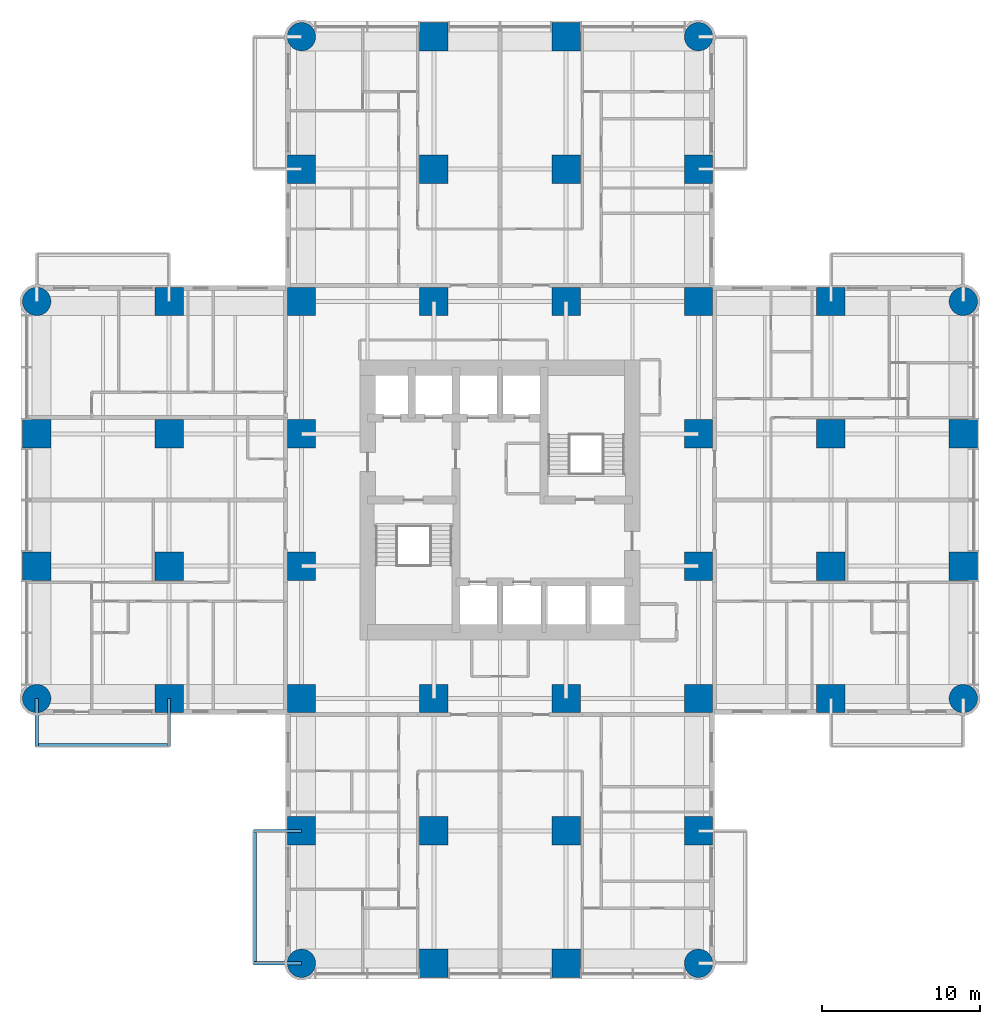
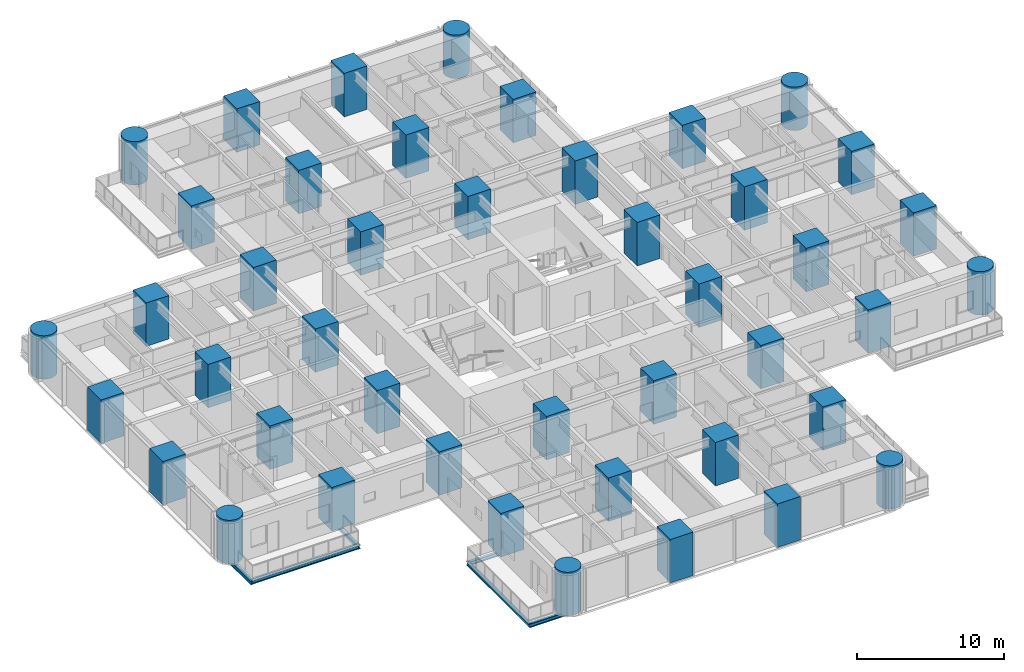
# One storey, part 1 of 17: 44 columns, 6 beams.
"""IFC4 building model written with IfcOpenShell, lengths in metres."""

from ifc_helpers import new_model, si_unit, direction, frame, origin, origin_2d, place, context, subcontext, project, spatial, rectangle, circle, i_section, extrude, material, material_profile, profile_set, type_object, element, save


model = new_model("IFC4")

# Units and contexts
model_context = context("Model", 3, precision=1e-05, world=origin(), true_north=direction((0.0, 1.0)))
body_context = subcontext(model_context, "Body", "Model", "MODEL_VIEW")
ifc_project = project(units=[si_unit("LENGTHUNIT", "METRE"), si_unit("AREAUNIT", "SQUARE_METRE"), si_unit("VOLUMEUNIT", "CUBIC_METRE"), si_unit("PLANEANGLEUNIT", "RADIAN"), si_unit("MASSUNIT", "GRAM", prefix="KILO")], contexts=[model_context])

# Site, building, storey
site_placement = place(None, origin())
site = spatial("IfcSite", under=ifc_project, at=site_placement, CompositionType="ELEMENT")
building_placement = place(site_placement, origin())
building = spatial("IfcBuilding", under=site, at=building_placement, Name="Torre Alcanfor", CompositionType="ELEMENT")
storey_placement = place(building_placement, frame((0.0, 0.0, 41.699951171875)))
storey = spatial("IfcBuildingStorey", under=building, at=storey_placement, Name="L09", CompositionType="ELEMENT", Elevation=41.699951171875)

# Columns
ifc_material_1 = material(Name="Concrete f'c 70 MPa", Category="concrete")
ifc_material_profile_1 = material_profile(ifc_material_1, rectangle(XDim=1.800048828125, YDim=1.800048828125, at=origin_2d()), Name="1800x1800")
ifc_profile_set_1 = profile_set([ifc_material_profile_1], Name="Concrete f'c 70 MPa")
column_type_1 = type_object("IfcColumnType", Name="RC column 1800x1800 f'c70", PredefinedType="COLUMN", material=ifc_profile_set_1)
for number, where, z_axis, x_axis, name in (
    (1, (0.0, 25.199951171875, 0.0), (0.0, 0.0, 1.0), (1.0, 0.0, 0.0), "Column 1/F L09"),
    (2, (0.0, 33.60009765625, 0.0), (0.0, 0.0, 1.0), (1.0, 0.0, 0.0), "Column 1/G L09"),
    (3, (8.39990234375, 16.800048828125, 0.0), (0.0, 0.0, 1.0), (1.0, 0.0, 0.0), "Column 2/E L09"),
    (4, (8.39990234375, 25.199951171875, 0.0), (0.0, 0.0, 1.0), (1.0, 0.0, 0.0), "Column 2/F L09"),
    (5, (8.39990234375, 33.60009765625, 0.0), (0.0, 0.0, 1.0), (1.0, 0.0, 0.0), "Column 2/G L09"),
    (6, (8.39990234375, 42.0, 0.0), (0.0, 0.0, 1.0), (1.0, 0.0, 0.0), "Column 2/H L09"),
    (7, (16.800048828125, 8.39990234375, 0.0), (0.0, 0.0, 1.0), (1.0, 0.0, 0.0), "Column 3/D L09"),
    (8, (16.800048828125, 16.800048828125, 0.0), (0.0, 0.0, 1.0), (1.0, 0.0, 0.0), "Column 3/E L09"),
    (9, (16.800048828125, 25.199951171875, 0.0), (0.0, 0.0, 1.0), (1.0, 0.0, 0.0), "Column 3/F L09"),
    (10, (16.800048828125, 33.60009765625, 0.0), (0.0, 0.0, 1.0), (1.0, 0.0, 0.0), "Column 3/G L09"),
    (11, (16.800048828125, 42.0, 0.0), (0.0, 0.0, 1.0), (1.0, 0.0, 0.0), "Column 3/H L09"),
    (12, (16.800048828125, 50.39990234375, 0.0), (0.0, 0.0, 1.0), (1.0, 0.0, 0.0), "Column 3/J L09"),
    (13, (25.199951171875, 0.0, 0.0), (0.0, 0.0, 1.0), (1.0, 0.0, 0.0), "Column 4/C L09"),
    (14, (25.199951171875, 8.39990234375, 0.0), (0.0, 0.0, 1.0), (1.0, 0.0, 0.0), "Column 4/D L09"),
    (15, (25.199951171875, 16.800048828125, 0.0), (0.0, 0.0, 1.0), (1.0, 0.0, 0.0), "Column 4/E L09"),
    (16, (25.199951171875, 42.0, 0.0), (0.0, 0.0, 1.0), (1.0, 0.0, 0.0), "Column 4/H L09"),
    (17, (25.199951171875, 50.39990234375, 0.0), (0.0, 0.0, 1.0), (1.0, 0.0, 0.0), "Column 4/J L09"),
    (18, (25.199951171875, 58.800048828125, 0.0), (0.0, 0.0, 1.0), (1.0, 0.0, 0.0), "Column 4/K L09"),
    (19, (33.60009765625, 0.0, 0.0), (0.0, 0.0, 1.0), (1.0, 0.0, 0.0), "Column 5/C L09"),
    (20, (33.60009765625, 8.39990234375, 0.0), (0.0, 0.0, 1.0), (1.0, 0.0, 0.0), "Column 5/D L09"),
    (21, (33.60009765625, 16.800048828125, 0.0), (0.0, 0.0, 1.0), (1.0, 0.0, 0.0), "Column 5/E L09"),
    (22, (33.60009765625, 42.0, 0.0), (0.0, 0.0, 1.0), (1.0, 0.0, 0.0), "Column 5/H L09"),
    (23, (33.60009765625, 50.39990234375, 0.0), (0.0, 0.0, 1.0), (1.0, 0.0, 0.0), "Column 5/J L09"),
    (24, (33.60009765625, 58.800048828125, 0.0), (0.0, 0.0, 1.0), (1.0, 0.0, 0.0), "Column 5/K L09"),
    (25, (42.0, 8.39990234375, 0.0), (0.0, 0.0, 1.0), (1.0, 0.0, 0.0), "Column 6/D L09"),
    (26, (42.0, 16.800048828125, 0.0), (0.0, 0.0, 1.0), (1.0, 0.0, 0.0), "Column 6/E L09"),
    (27, (42.0, 25.199951171875, 0.0), (0.0, 0.0, 1.0), (1.0, 0.0, 0.0), "Column 6/F L09"),
    (28, (42.0, 33.60009765625, 0.0), (0.0, 0.0, 1.0), (1.0, 0.0, 0.0), "Column 6/G L09"),
    (29, (42.0, 42.0, 0.0), (0.0, 0.0, 1.0), (1.0, 0.0, 0.0), "Column 6/H L09"),
    (30, (42.0, 50.39990234375, 0.0), (0.0, 0.0, 1.0), (1.0, 0.0, 0.0), "Column 6/J L09"),
    (31, (50.39990234375, 16.800048828125, 0.0), (0.0, 0.0, 1.0), (1.0, 0.0, 0.0), "Column 7/E L09"),
    (32, (50.39990234375, 25.199951171875, 0.0), (0.0, 0.0, 1.0), (1.0, 0.0, 0.0), "Column 7/F L09"),
    (33, (50.39990234375, 33.60009765625, 0.0), (0.0, 0.0, 1.0), (1.0, 0.0, 0.0), "Column 7/G L09"),
    (34, (50.39990234375, 42.0, 0.0), (0.0, 0.0, 1.0), (1.0, 0.0, 0.0), "Column 7/H L09"),
    (35, (58.800048828125, 25.199951171875, 0.0), (0.0, 0.0, 1.0), (1.0, 0.0, 0.0), "Column 8/F L09"),
    (36, (58.800048828125, 33.60009765625, 0.0), (0.0, 0.0, 1.0), (1.0, 0.0, 0.0), "Column 8/G L09"),
):
    element("IfcColumn", number, at=place(storey_placement, frame(where, z_axis=z_axis, x_axis=x_axis)), inside=storey, type_object=column_type_1, Name=name, PredefinedType="COLUMN", context=body_context, shape_type="SweptSolid", body=[
        extrude(rectangle(XDim=1.800048828125, YDim=1.800048828125, at=origin_2d()), origin(), (0.0, 0.0, 1.0), 3.60009765625),
    ])
ifc_material_2 = material(Name="Concrete f'c 70 MPa", Category="concrete")
ifc_material_profile_2 = material_profile(ifc_material_2, circle(Radius=0.89990234375, at=origin_2d()), Name="D1800")
ifc_profile_set_2 = profile_set([ifc_material_profile_2], Name="Concrete f'c 70 MPa")
column_type_2 = type_object("IfcColumnType", Name="RC column D1800 f'c70", PredefinedType="COLUMN", material=ifc_profile_set_2)
for number, where, z_axis, x_axis, name in (
    (37, (0.0, 16.800048828125, 0.0), (0.0, 0.0, 1.0), (1.0, 0.0, 0.0), "Column 1/E L09"),
    (38, (0.0, 42.0, 0.0), (0.0, 0.0, 1.0), (1.0, 0.0, 0.0), "Column 1/H L09"),
    (39, (16.800048828125, 0.0, 0.0), (0.0, 0.0, 1.0), (1.0, 0.0, 0.0), "Column 3/C L09"),
    (40, (16.800048828125, 58.800048828125, 0.0), (0.0, 0.0, 1.0), (1.0, 0.0, 0.0), "Column 3/K L09"),
    (41, (42.0, 0.0, 0.0), (0.0, 0.0, 1.0), (1.0, 0.0, 0.0), "Column 6/C L09"),
    (42, (42.0, 58.800048828125, 0.0), (0.0, 0.0, 1.0), (1.0, 0.0, 0.0), "Column 6/K L09"),
    (43, (58.800048828125, 16.800048828125, 0.0), (0.0, 0.0, 1.0), (1.0, 0.0, 0.0), "Column 8/E L09"),
    (44, (58.800048828125, 42.0, 0.0), (0.0, 0.0, 1.0), (1.0, 0.0, 0.0), "Column 8/H L09"),
):
    element("IfcColumn", number, at=place(storey_placement, frame(where, z_axis=z_axis, x_axis=x_axis)), inside=storey, type_object=column_type_2, Name=name, PredefinedType="COLUMN", context=body_context, shape_type="SweptSolid", body=[
        extrude(circle(Radius=0.89990234375, at=origin_2d()), origin(), (0.0, 0.0, 1.0), 3.60009765625),
    ])

# Beams
ifc_material_3 = material(Name="Steel ASTM A992 Grade 50", Category="steel")
ifc_material_profile_3 = material_profile(ifc_material_3, i_section(OverallWidth=0.205322265625, OverallDepth=0.309814453125, WebThickness=0.00927734375, FlangeThickness=0.016357421875, at=origin_2d()), Name="W12x50")
ifc_profile_set_3 = profile_set([ifc_material_profile_3], Name="Steel ASTM A992 Grade 50")
beam_type_1 = type_object("IfcBeamType", Name="Balcony cantilever beam W12x50", PredefinedType="BEAM", material=ifc_profile_set_3)
for number, where, z_axis, x_axis, name in (
    (45, (16.800048828125, 8.39990234375, -0.35498046875), (-1.0, 0.0, 0.0), (0.0, -1.0, 0.0), "Balcony cantilever beam L09-S2 1"),
    (46, (16.800048828125, 0.0, -0.35498046875), (-1.0, 0.0, 0.0), (0.0, -1.0, 0.0), "Balcony cantilever beam L09-S2 2"),
    (47, (8.39990234375, 16.800048828125, -0.35498046875), (0.0, -1.0, 0.0), (1.0, 0.0, 0.0), "Balcony cantilever beam L09-W1 1"),
    (48, (0.0, 16.800048828125, -0.35498046875), (0.0, -1.0, 0.0), (1.0, 0.0, 0.0), "Balcony cantilever beam L09-W1 2"),
):
    element("IfcBeam", number, at=place(storey_placement, frame(where, z_axis=z_axis, x_axis=x_axis)), inside=storey, type_object=beam_type_1, Name=name, PredefinedType="BEAM", context=body_context, shape_type="SweptSolid", body=[
        extrude(i_section(OverallWidth=0.205322265625, OverallDepth=0.309814453125, WebThickness=0.00927734375, FlangeThickness=0.016357421875, at=origin_2d()), origin(), (0.0, 0.0, 1.0), 3.050048828125),
    ])
ifc_material_4 = material(Name="Steel ASTM A992 Grade 50", Category="steel")
ifc_material_profile_4 = material_profile(ifc_material_4, i_section(OverallWidth=0.203369140625, OverallDepth=0.30224609375, WebThickness=0.007568359375, FlangeThickness=0.01318359375, at=origin_2d()), Name="W12x40")
ifc_profile_set_4 = profile_set([ifc_material_profile_4], Name="Steel ASTM A992 Grade 50")
beam_type_2 = type_object("IfcBeamType", Name="Balcony edge trimmer W12x40", PredefinedType="BEAM", material=ifc_profile_set_4)
for number, where, z_axis, x_axis, name in (
    (49, (13.851806640625, 8.39990234375, -0.35107421875), (0.0, -1.0, 0.0), (1.0, 0.0, 0.0), "Balcony edge trimmer L09-S2"),
    (50, (8.39990234375, 13.851806640625, -0.35107421875), (-1.0, 0.0, 0.0), (0.0, -1.0, 0.0), "Balcony edge trimmer L09-W1"),
):
    element("IfcBeam", number, at=place(storey_placement, frame(where, z_axis=z_axis, x_axis=x_axis)), inside=storey, type_object=beam_type_2, Name=name, PredefinedType="BEAM", context=body_context, shape_type="SweptSolid", body=[
        extrude(i_section(OverallWidth=0.203369140625, OverallDepth=0.30224609375, WebThickness=0.007568359375, FlangeThickness=0.01318359375, at=origin_2d()), origin(), (0.0, 0.0, 1.0), 8.39990234375),
    ])

save(model, "model.ifc")
